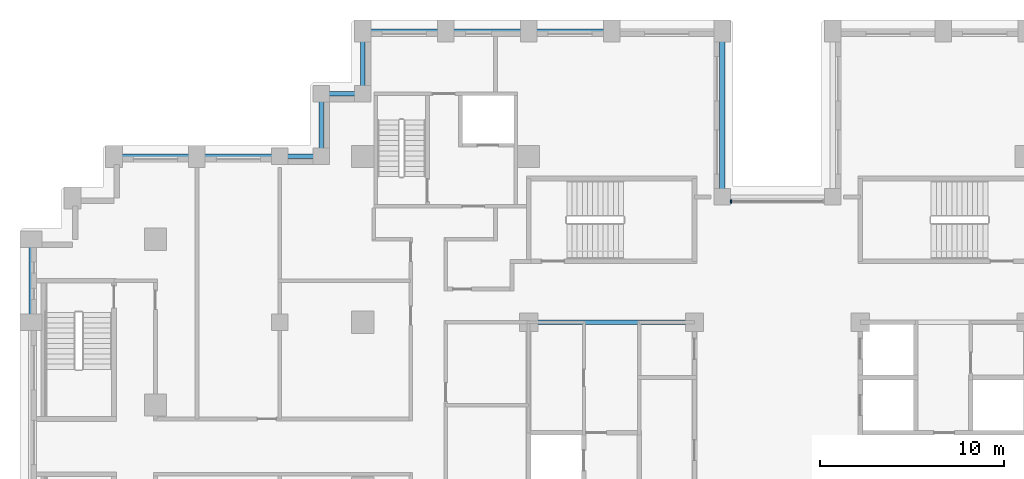
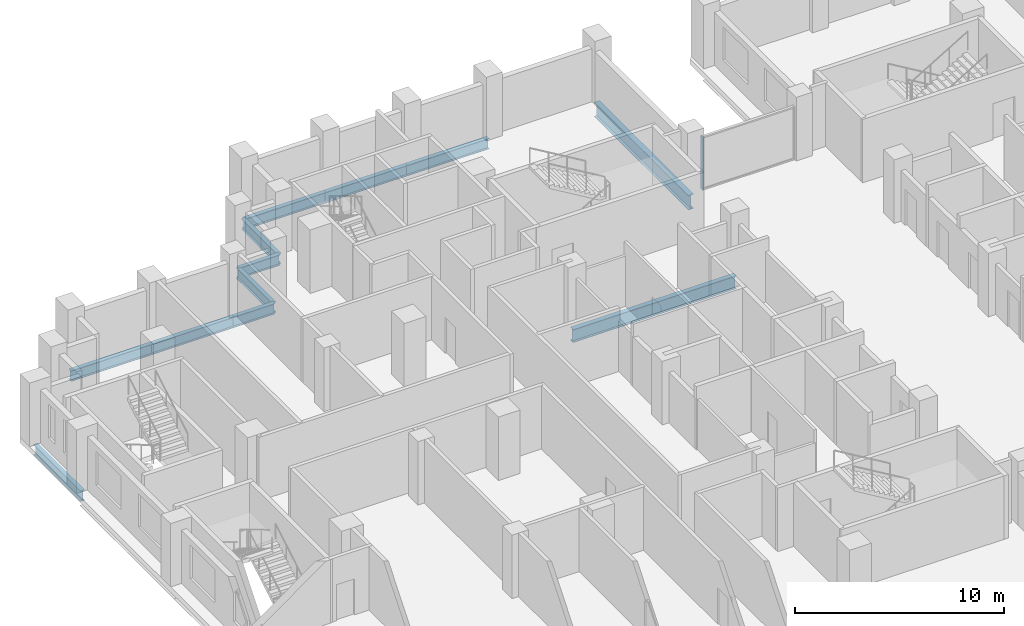
# One storey, part 3 of 15: 12 beams, 1 member, 1 element without a shape of its own.
"""IFC4 building model written with IfcOpenShell, lengths in metres."""

from ifc_helpers import new_model, si_unit, direction, frame, origin, origin_2d, place, context, subcontext, project, spatial, rectangle, i_section, extrude, material, layer, layer_set, material_profile, profile_set, type_object, element, aggregate, save


model = new_model("IFC4")

# Units and contexts
model_context = context("Model", 3, precision=1e-05, world=origin(), true_north=direction((0.0, 1.0)))
body_context = subcontext(model_context, "Body", "Model", "MODEL_VIEW")
ifc_project = project(units=[si_unit("LENGTHUNIT", "METRE"), si_unit("AREAUNIT", "SQUARE_METRE"), si_unit("VOLUMEUNIT", "CUBIC_METRE"), si_unit("PLANEANGLEUNIT", "RADIAN"), si_unit("MASSUNIT", "GRAM", prefix="KILO")], contexts=[model_context])

# Site, building, storey
site_placement = place(None, origin())
site = spatial("IfcSite", under=ifc_project, at=site_placement, CompositionType="ELEMENT")
building_placement = place(site_placement, origin())
building = spatial("IfcBuilding", under=site, at=building_placement, Name="Corbelhall Arena Tower", CompositionType="ELEMENT")
storey_placement = place(building_placement, frame((0.0, 0.0, 100.0)))
storey = spatial("IfcBuildingStorey", under=building, at=storey_placement, Name="L17", CompositionType="ELEMENT", Elevation=100.0)

# Curtain wall, member
ifc_material_1 = material(Name="Aluminium black anodised", Category="aluminium")
ifc_layer = layer(ifc_material_1, 0.199951171875)
ifc_layer_set = layer_set([ifc_layer], Name="EV-CW1 Slot back wall")
curtain_wall_type = type_object("IfcCurtainWallType", Name="EV-CW1 Slot back wall", PredefinedType="NOTDEFINED", material=ifc_layer_set)
curtain_wall_placement = place(storey_placement, origin())
curtain_wall = element("IfcCurtainWall", 1, at=curtain_wall_placement, inside=storey, type_object=curtain_wall_type, Name="Curtain wall CW1", PredefinedType="NOTDEFINED")
ifc_material_profile_1 = material_profile(ifc_material_1, rectangle(XDim=0.199951171875, YDim=0.074951171875, at=origin_2d()))
ifc_profile_set_1 = profile_set([ifc_material_profile_1], Name="Aluminium black anodised")
member_type = type_object("IfcMemberType", Name="EV-CW1-MULLION", PredefinedType="MULLION", material=ifc_profile_set_1)
member_placement = place(storey_placement, frame((-2.512451171875, 15.550048828125, 0.0), z_axis=(0.0, 0.0, 1.0), x_axis=(0.0, -1.0, 0.0)))
member = element("IfcMember", 2, at=member_placement, type_object=member_type, Name="CW1 mullion 2", PredefinedType="MULLION", context=body_context, shape_type="SweptSolid", body=[
    extrude(rectangle(XDim=0.199951171875, YDim=0.074951171875, at=origin_2d()), origin(), (0.0, 0.0, 1.0), 3.10009765625),
])
aggregate(curtain_wall, [member])

# Beams
ifc_material_2 = material(Name="Steel ASTM A992 Gr50", Category="steel")
ifc_material_profile_2 = material_profile(ifc_material_2, i_section(OverallWidth=0.2666015625, OverallDepth=0.761962890625, WebThickness=0.014404296875, FlangeThickness=0.021484375, at=origin_2d()))
ifc_profile_set_2 = profile_set([ifc_material_profile_2], Name="Steel ASTM A992 Gr50")
beam_type_1 = type_object("IfcBeamType", Name="ST-BEAM-W30x116", PredefinedType="BEAM", material=ifc_profile_set_2)
beam_1_placement = place(storey_placement, frame((-13.5, 9.0, -0.680908203125), z_axis=(1.0, 0.0, 0.0), x_axis=(0.0, 1.0, 0.0)))
element("IfcBeam", 3, at=beam_1_placement, inside=storey, type_object=beam_type_1, Name="Beam CEW 6", PredefinedType="BEAM", context=body_context, shape_type="SweptSolid", body=[
    extrude(i_section(OverallWidth=0.2666015625, OverallDepth=0.761962890625, WebThickness=0.014404296875, FlangeThickness=0.021484375, at=origin_2d()), origin(), (0.0, 0.0, 1.0), 9.0),
])
ifc_material_profile_3 = material_profile(ifc_material_2, i_section(OverallWidth=0.23046875, OverallDepth=0.6171875, WebThickness=0.01318359375, FlangeThickness=0.022216796875, at=origin_2d()))
ifc_profile_set_3 = profile_set([ifc_material_profile_3], Name="Steel ASTM A992 Gr50")
beam_type_2 = type_object("IfcBeamType", Name="ST-SPANDREL-W24x94", PredefinedType="SPANDREL", material=ifc_profile_set_3)
for number, where, z_axis, x_axis, name in (
    (4, (-40.5, 9.0, -0.608642578125), (0.0, 1.0, 0.0), (-1.0, 0.0, 0.0), "Beam SP 2"),
    (5, (-31.5, 18.0, -0.608642578125), (1.0, 0.0, 0.0), (0.0, 1.0, 0.0), "Beam SP 5"),
    (6, (-36.0, 18.0, -0.608642578125), (1.0, 0.0, 0.0), (0.0, 1.0, 0.0), "Beam SP 6"),
    (7, (-13.5, 24.800048828125, -0.608642578125), (1.0, 0.0, 0.0), (0.0, 1.0, 0.0), "Beam SP 24"),
    (8, (-18.0, 24.800048828125, -0.608642578125), (1.0, 0.0, 0.0), (0.0, 1.0, 0.0), "Beam SP 25"),
    (9, (-22.5, 24.800048828125, -0.608642578125), (1.0, 0.0, 0.0), (0.0, 1.0, 0.0), "Beam SP 26"),
):
    element("IfcBeam", number, at=place(storey_placement, frame(where, z_axis=z_axis, x_axis=x_axis)), inside=storey, type_object=beam_type_2, Name=name, PredefinedType="SPANDREL", context=body_context, shape_type="SweptSolid", body=[
        extrude(i_section(OverallWidth=0.23046875, OverallDepth=0.6171875, WebThickness=0.01318359375, FlangeThickness=0.022216796875, at=origin_2d()), origin(), (0.0, 0.0, 1.0), 4.5),
    ])
beam_2_placement = place(storey_placement, frame((-27.0, 18.0, -0.608642578125), z_axis=(1.0, 0.0, 0.0), x_axis=(0.0, 1.0, 0.0)))
element("IfcBeam", 10, at=beam_2_placement, inside=storey, type_object=beam_type_2, Name="Beam SP 37", PredefinedType="SPANDREL", context=body_context, shape_type="SweptSolid", body=[
    extrude(i_section(OverallWidth=0.23046875, OverallDepth=0.6171875, WebThickness=0.01318359375, FlangeThickness=0.022216796875, at=origin_2d()), origin(), (0.0, 0.0, 1.0), 2.25),
])
beam_3_placement = place(storey_placement, frame((-22.5, 21.39990234375, -0.608642578125), z_axis=(0.0, 1.0, 0.0), x_axis=(-1.0, 0.0, 0.0)))
element("IfcBeam", 11, at=beam_3_placement, inside=storey, type_object=beam_type_2, Name="Beam SP 46", PredefinedType="SPANDREL", context=body_context, shape_type="SweptSolid", body=[
    extrude(i_section(OverallWidth=0.23046875, OverallDepth=0.6171875, WebThickness=0.01318359375, FlangeThickness=0.022216796875, at=origin_2d()), origin(), (0.0, 0.0, 1.0), 3.400146484375),
])
beam_4_placement = place(storey_placement, frame((-24.75, 21.39990234375, -0.608642578125), z_axis=(1.0, 0.0, 0.0), x_axis=(0.0, 1.0, 0.0)))
element("IfcBeam", 12, at=beam_4_placement, inside=storey, type_object=beam_type_2, Name="Beam SP 47", PredefinedType="SPANDREL", context=body_context, shape_type="SweptSolid", body=[
    extrude(i_section(OverallWidth=0.23046875, OverallDepth=0.6171875, WebThickness=0.01318359375, FlangeThickness=0.022216796875, at=origin_2d()), origin(), (0.0, 0.0, 1.0), 2.25),
])
beam_5_placement = place(storey_placement, frame((-24.75, 18.0, -0.608642578125), z_axis=(0.0, 1.0, 0.0), x_axis=(-1.0, 0.0, 0.0)))
element("IfcBeam", 13, at=beam_5_placement, inside=storey, type_object=beam_type_2, Name="Beam SP 48", PredefinedType="SPANDREL", context=body_context, shape_type="SweptSolid", body=[
    extrude(i_section(OverallWidth=0.23046875, OverallDepth=0.6171875, WebThickness=0.01318359375, FlangeThickness=0.022216796875, at=origin_2d()), origin(), (0.0, 0.0, 1.0), 3.39990234375),
])
ifc_material_profile_4 = material_profile(ifc_material_2, i_section(OverallWidth=0.2919921875, OverallDepth=0.845703125, WebThickness=0.015380859375, FlangeThickness=0.0244140625, at=origin_2d()))
ifc_profile_set_4 = profile_set([ifc_material_profile_4], Name="Steel ASTM A992 Gr50")
beam_type_3 = type_object("IfcBeamType", Name="ST-SPANDREL-W33x141", PredefinedType="SPANDREL", material=ifc_profile_set_4)
beam_6_placement = place(storey_placement, frame((-3.0, 24.800048828125, -0.722900390625), z_axis=(0.0, -1.0, 0.0), x_axis=(1.0, 0.0, 0.0)))
element("IfcBeam", 14, at=beam_6_placement, inside=storey, type_object=beam_type_3, Name="Beam SP 22", PredefinedType="SPANDREL", context=body_context, shape_type="SweptSolid", body=[
    extrude(i_section(OverallWidth=0.2919921875, OverallDepth=0.845703125, WebThickness=0.015380859375, FlangeThickness=0.0244140625, at=origin_2d()), origin(), (0.0, 0.0, 1.0), 9.0),
])

save(model, "model.ifc")
